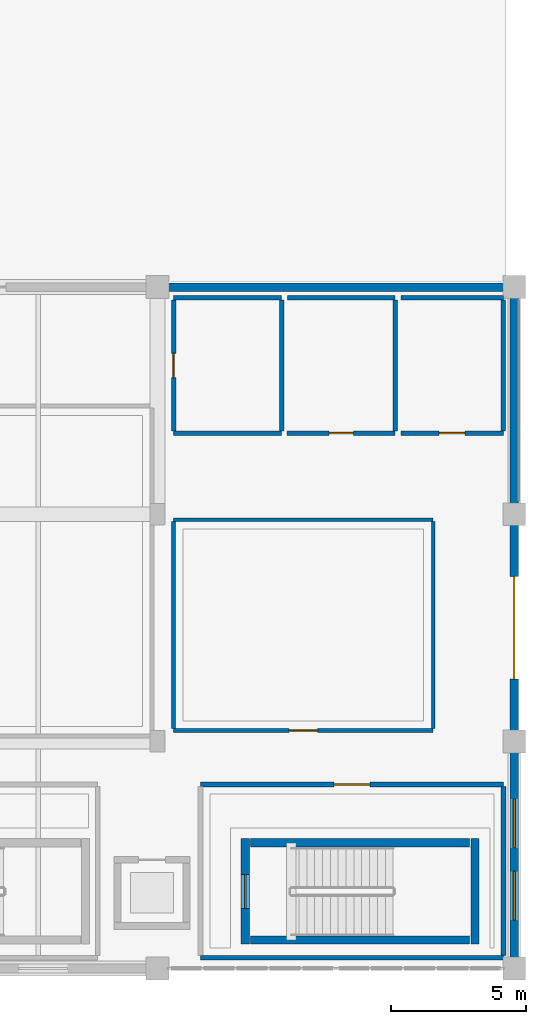
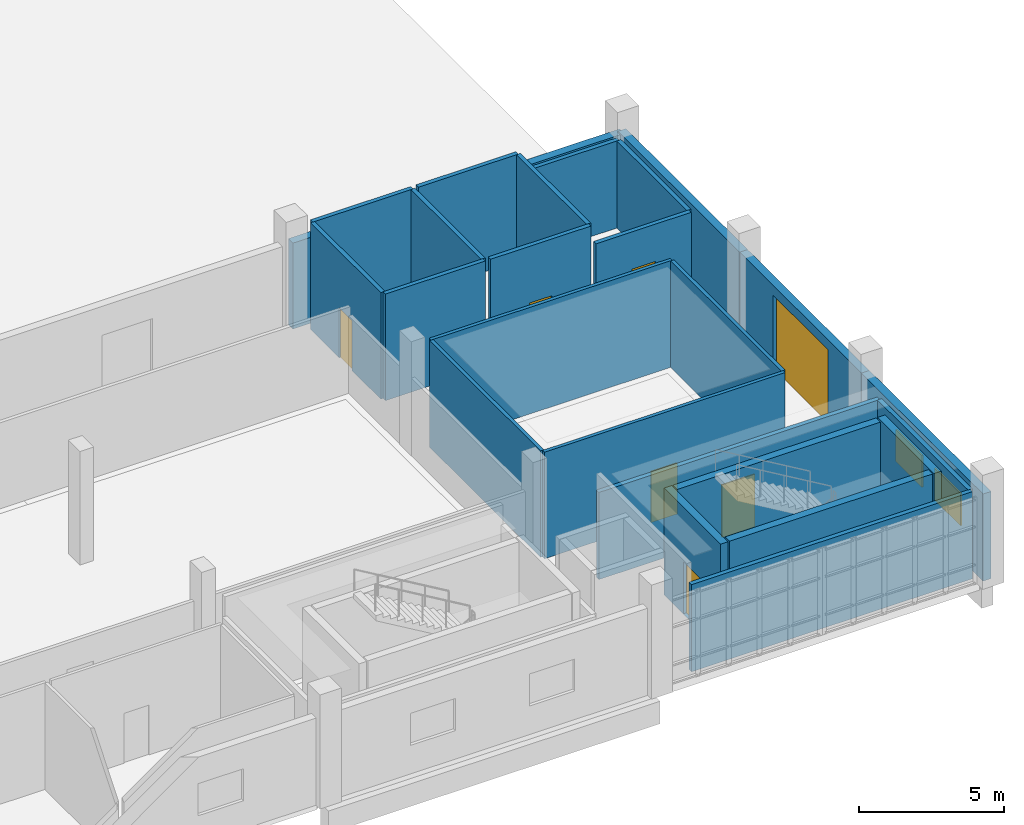
# One storey, part 71 of 97: 25 walls, 7 doors, 2 windows, 9 openings.
"""IFC4 building model written with IfcOpenShell, lengths in metres."""

import ifcopenshell
import ifcopenshell.guid

model = None  # the IFC model being written
_history = None  # IfcOwnerHistory: only IFC2X3 demands one
_inside = {}  # id of a spatial element -> (the spatial element, [elements in it])
_under = {}  # id of a project, library or spatial element -> (it, [spatial elements below it])
_declared = {}  # id of a project -> (the project, [libraries it declares])
_typed = {}  # id of a type object -> (the type object, [elements of that type])
_made_of = {}  # id of a material, layer set ... -> (it, [elements and type objects made of it])


def new_model(schema):
    """Start an empty IFC model of exactly this schema.

    Asked for "IFC4X3", IfcOpenShell would pick the latest addendum, in which some entities
    have other attributes; the version numbers below select the first issue.
    IFC2X3 requires an IfcOwnerHistory on every rooted entity: one is made here for all.
    """
    global model, _history
    if schema == "IFC4X3":
        model = ifcopenshell.file(schema_version=(4, 3, 0, 0))
    else:
        model = ifcopenshell.file(schema=schema)
    _inside.clear()
    _under.clear()
    _declared.clear()
    _typed.clear()
    _made_of.clear()
    _history = None
    if model.schema == "IFC2X3":
        org = make("IfcOrganization", Name="unknown")
        user = make(
            "IfcPersonAndOrganization",
            ThePerson=make("IfcPerson", FamilyName="unknown"),
            TheOrganization=org,
        )
        app = make(
            "IfcApplication",
            ApplicationDeveloper=org,
            Version="unknown",
            ApplicationFullName="unknown",
            ApplicationIdentifier="unknown",
        )
        _history = make(
            "IfcOwnerHistory",
            OwningUser=user,
            OwningApplication=app,
            ChangeAction="ADDED",
            CreationDate=0,
        )
    return model


def make(cls, **values):
    """One entity of the class cls with the attributes given. An attribute that is None is left unset."""
    return model.create_entity(
        cls, **{name: value for name, value in values.items() if value is not None}
    )


def rooted(cls, **values):
    """An entity with a GlobalId (a new one), such as an element, a storey or a relation."""
    return make(cls, GlobalId=ifcopenshell.guid.new(), OwnerHistory=_history, **values)


def si_unit(unit_type, name, prefix=None):
    """IfcSIUnit, for example si_unit("LENGTHUNIT", "METRE", prefix="MILLI")."""
    return make("IfcSIUnit", UnitType=unit_type, Prefix=prefix, Name=name)


def assignment(units):
    """IfcUnitAssignment: the units of a project."""
    return None if units is None else make("IfcUnitAssignment", Units=units)


def point(xyz):
    """IfcCartesianPoint."""
    return None if xyz is None else make("IfcCartesianPoint", Coordinates=xyz)


def direction(xyz):
    """IfcDirection."""
    return None if xyz is None else make("IfcDirection", DirectionRatios=xyz)


def frame(location, z_axis=None, x_axis=None):
    """IfcAxis2Placement3D, a coordinate frame: its origin and axes. An axis left out is left unset."""
    return make(
        "IfcAxis2Placement3D",
        Location=point(location),
        Axis=direction(z_axis),
        RefDirection=direction(x_axis),
    )


def frame_2d(location, x_axis=None):
    """IfcAxis2Placement2D, a coordinate frame in the plane: its origin and x axis."""
    return make(
        "IfcAxis2Placement2D", Location=point(location), RefDirection=direction(x_axis)
    )


def origin():
    """The frame at (0, 0, 0) with its axes left unset."""
    return frame((0.0, 0.0, 0.0))


def place(relative_to, where):
    """IfcLocalPlacement: puts the frame where relative to a parent placement (None: the world)."""
    return make(
        "IfcLocalPlacement", PlacementRelTo=relative_to, RelativePlacement=where
    )


def context(
    kind, dimensions, precision=None, world=None, true_north=None, identifier=None
):
    """IfcGeometricRepresentationContext, for example the 3D "Model" context."""
    return make(
        "IfcGeometricRepresentationContext",
        ContextIdentifier=identifier,
        ContextType=kind,
        CoordinateSpaceDimension=dimensions,
        Precision=precision,
        WorldCoordinateSystem=world,
        TrueNorth=true_north,
    )


def subcontext(parent, identifier, kind, view, scale=None):
    """IfcGeometricRepresentationSubContext, for example "Body" below "Model"."""
    return make(
        "IfcGeometricRepresentationSubContext",
        ContextIdentifier=identifier,
        ContextType=kind,
        ParentContext=parent,
        TargetScale=scale,
        TargetView=view,
    )


def project(units=None, contexts=None):
    """IfcProject with its units and contexts."""
    return rooted(
        "IfcProject",
        Name="project",
        RepresentationContexts=contexts,
        UnitsInContext=assignment(units),
    )


def spatial(cls, under=None, at=None, **own):
    """A site, building, storey or space (cls), placed at a placement, below another one or the project."""
    s = rooted(cls, ObjectPlacement=at, **own)
    if under is not None:
        _under.setdefault(under.id(), (under, []))[1].append(s)
    return s


def profile(cls, at=None, kind="AREA", **sizes):
    """A parametric profile (cls). Its sizes go by their IFC names, for example OverallWidth=200.0."""
    return make(cls, ProfileType=kind, Position=at, **sizes)


def rectangle(**sizes):
    """IfcRectangleProfileDef."""
    return profile("IfcRectangleProfileDef", **sizes)


def extrude(swept, where, along, depth):
    """IfcExtrudedAreaSolid: the profile swept, set in the frame where, extruded along a direction by depth."""
    return make(
        "IfcExtrudedAreaSolid",
        SweptArea=swept,
        Position=where,
        ExtrudedDirection=direction(along),
        Depth=depth,
    )


def shape(context_of_items, identifier, shape_type, items):
    """IfcShapeRepresentation: the items that make up one representation, for example the "Body"."""
    return make(
        "IfcShapeRepresentation",
        ContextOfItems=context_of_items,
        RepresentationIdentifier=identifier,
        RepresentationType=shape_type,
        Items=items,
    )


def material(Name=None, Category=None):
    """IfcMaterial."""
    return make("IfcMaterial", Name=Name, Category=Category)


def layer(
    of_material, thickness, ventilated=None, Name=None, Category=None, Priority=None
):
    """IfcMaterialLayer: one layer of a wall or slab, of a material (None: an air gap)."""
    return make(
        "IfcMaterialLayer",
        Material=of_material,
        LayerThickness=thickness,
        IsVentilated=ventilated,
        Name=Name,
        Category=Category,
        Priority=Priority,
    )


def layer_set(layers, Name=None):
    """IfcMaterialLayerSet."""
    return make("IfcMaterialLayerSet", MaterialLayers=layers, LayerSetName=Name)


def made_of(thing, what):
    """Note that an element or type object is made of a material, layer set ...; save() writes the relation."""
    if what is not None:
        _made_of.setdefault(what.id(), (what, []))[1].append(thing)
    return thing


def type_object(cls, material=None, **own):
    """A type object (cls), such as IfcWallType, which elements share."""
    return made_of(rooted(cls, **own), material)


def element(
    cls,
    number,
    at=None,
    inside=None,
    cuts=None,
    type_object=None,
    material=None,
    context=None,
    identifier="Body",
    shape_type=None,
    held_by="IfcProductDefinitionShape",
    body=None,
    shapes=None,
    **own,
):
    """One element of the class cls, such as IfcWall. Its Tag is "e" and its number.

    at: its placement. inside: the storey or other place that contains it. cuts: it is an
    opening in that element (IfcRelVoidsElement). A single representation is given by context,
    identifier, shape_type and body (its items); several are given by shapes. held_by: the class
    of the entity that holds the representations. save() writes the other relations.
    """
    e = rooted(cls, Tag="e%d" % number, ObjectPlacement=at, **own)
    if body is not None:
        shapes = [shape(context, identifier, shape_type, body)]
    if shapes is not None:
        e.Representation = make(held_by, Representations=shapes)
    if inside is not None:
        _inside.setdefault(inside.id(), (inside, []))[1].append(e)
    if cuts is not None:
        rooted(
            "IfcRelVoidsElement", RelatingBuildingElement=cuts, RelatedOpeningElement=e
        )
    if type_object is not None:
        _typed.setdefault(type_object.id(), (type_object, []))[1].append(e)
    return made_of(e, material)


def fill(opening, filler):
    """IfcRelFillsElement: the door or window that sits in an opening."""
    return rooted(
        "IfcRelFillsElement",
        RelatingOpeningElement=opening,
        RelatedBuildingElement=filler,
    )


def aggregate(whole, parts):
    """IfcRelAggregates: a whole, such as a stair, and the parts it consists of."""
    return rooted("IfcRelAggregates", RelatingObject=whole, RelatedObjects=parts)


def save(model, path):
    """Write the relations noted so far, then the file.

    IfcRelAggregates (storeys below a building ...), IfcRelContainedInSpatialStructure (elements
    in a storey), IfcRelDefinesByType, IfcRelAssociatesMaterial and IfcRelDeclares: one each for
    every whole, place, type object, material and project.
    """
    for whole, parts in _under.values():
        aggregate(whole, parts)
    for where, things in _inside.values():
        rooted(
            "IfcRelContainedInSpatialStructure",
            RelatedElements=things,
            RelatingStructure=where,
        )
    for kind, things in _typed.values():
        rooted("IfcRelDefinesByType", RelatedObjects=things, RelatingType=kind)
    for what, things in _made_of.values():
        rooted("IfcRelAssociatesMaterial", RelatedObjects=things, RelatingMaterial=what)
    for by, libraries in _declared.values():
        rooted("IfcRelDeclares", RelatingContext=by, RelatedDefinitions=libraries)
    model.write(path)


model = new_model("IFC4")

# Units and contexts
model_context = context("Model", 3, precision=1e-05, world=origin(), true_north=direction((0.0, 1.0)))
body_context = subcontext(model_context, "Body", "Model", "MODEL_VIEW")
ifc_project = project(units=[si_unit("LENGTHUNIT", "METRE"), si_unit("AREAUNIT", "SQUARE_METRE"), si_unit("VOLUMEUNIT", "CUBIC_METRE"), si_unit("PLANEANGLEUNIT", "RADIAN"), si_unit("MASSUNIT", "GRAM", prefix="KILO")], contexts=[model_context])

# Site, building, storey
site_placement = place(None, origin())
site = spatial("IfcSite", under=ifc_project, at=site_placement, CompositionType="ELEMENT")
building_placement = place(site_placement, origin())
building = spatial("IfcBuilding", under=site, at=building_placement, Name="Kisaragi Civic Commons", CompositionType="ELEMENT")
storey_placement = place(building_placement, origin())
storey = spatial("IfcBuildingStorey", under=building, at=storey_placement, Name="L00", CompositionType="ELEMENT", Elevation=0.0)

# Walls
ifc_material_1 = material(Name="Insulated Tokoname terracotta cavity wall", Category="masonry")
ifc_layer_1 = layer(ifc_material_1, 0.320068359375, Name="Insulated Tokoname terracotta cavity wall", Category="masonry")
ifc_layer_set_1 = layer_set([ifc_layer_1], Name="Insulated Tokoname terracotta cavity wall")
wall_type_1 = type_object("IfcWallType", Name="EW-01", PredefinedType="STANDARD", material=ifc_layer_set_1)
wall_1_placement = place(storey_placement, frame((159.60009765625, 25.199951171875, 0.0), z_axis=(0.0, 0.0, 1.0), x_axis=(1.0, 0.0, 0.0)))
element("IfcWall", 1, at=wall_1_placement, inside=storey, type_object=wall_type_1, Name="V3 L00 exterior terracotta wall EW-01 251", PredefinedType="STANDARD", context=body_context, shape_type="SweptSolid", body=[
    extrude(rectangle(XDim=13.199951171875, YDim=0.320068359375, at=frame_2d((6.60009765625, 0.0))), origin(), (0.0, 0.0, 1.0), 3.6201171875),
])
wall_2_placement = place(storey_placement, frame((172.800048828125, 25.199951171875, 0.0), z_axis=(0.0, 0.0, 1.0), x_axis=(0.0, -1.0, 0.0)))
element("IfcWall", 2, at=wall_2_placement, inside=storey, type_object=wall_type_1, Name="V3 L00 exterior terracotta wall EW-01 252", PredefinedType="STANDARD", context=body_context, shape_type="SweptSolid", body=[
    extrude(rectangle(XDim=8.39990234375, YDim=0.320068359375, at=frame_2d((4.199951171875, 0.0))), origin(), (0.0, 0.0, 1.0), 3.669921875),
])

# Wall, openings, windows
wall_3_placement = place(storey_placement, frame((172.800048828125, 8.39990234375, 0.0), z_axis=(0.0, 0.0, 1.0), x_axis=(0.0, -1.0, 0.0)))
wall_3 = element("IfcWall", 3, at=wall_3_placement, inside=storey, type_object=wall_type_1, Name="V3 L00 exterior terracotta wall EW-01 254", PredefinedType="STANDARD", context=body_context, shape_type="SweptSolid", body=[
    extrude(rectangle(XDim=8.39990234375, YDim=0.320068359375, at=frame_2d((4.199951171875, 0.0))), origin(), (0.0, 0.0, 1.0), 3.669921875),
])
opening_1_placement = place(wall_3_placement, frame((2.137939453125, 0.0, 1.199951171875)))
opening_1 = element("IfcOpeningElement", 4, at=opening_1_placement, cuts=wall_3, Name="Opening W-08", PredefinedType="OPENING", context=body_context, shape_type="SweptSolid", body=[
    extrude(rectangle(XDim=1.800048828125, YDim=1.35009765625, at=frame_2d((0.89990234375, 0.675048828125))), frame((0.0, 0.169921875, 0.0), z_axis=(0.0, -1.0, 0.0), x_axis=(1.0, 0.0, 0.0)), (0.0, 0.0, 1.0), 0.340087890625),
])
opening_2_placement = place(wall_3_placement, frame((4.81201171875, 0.0, 1.199951171875)))
opening_2 = element("IfcOpeningElement", 5, at=opening_2_placement, cuts=wall_3, Name="Opening W-08", PredefinedType="OPENING", context=body_context, shape_type="SweptSolid", body=[
    extrude(rectangle(XDim=1.800048828125, YDim=1.35009765625, at=frame_2d((0.89990234375, 0.675048828125))), frame((0.0, 0.169921875, 0.0), z_axis=(0.0, -1.0, 0.0), x_axis=(1.0, 0.0, 0.0)), (0.0, 0.0, 1.0), 0.340087890625),
])
ifc_material_2 = material(Name="Thermally broken aluminium frame and low-E argon double glazing", Category="aluminium")
window_type = type_object("IfcWindowType", Name="W-08", PartitioningType="SINGLE_PANEL", PredefinedType="WINDOW", material=ifc_material_2)
window_1_placement = place(opening_1_placement, origin())
window_1 = element("IfcWindow", 6, at=window_1_placement, inside=storey, type_object=window_type, Name="V3 L00 window W-08 74", OverallHeight=1.35009765625, OverallWidth=1.800048828125, PartitioningType="SINGLE_PANEL", PredefinedType="WINDOW", context=body_context, shape_type="SweptSolid", body=[
    extrude(rectangle(XDim=1.800048828125, YDim=1.35009765625, at=frame_2d((0.89990234375, 0.675048828125))), frame((0.0, 0.030029296875, 0.0), z_axis=(0.0, -1.0, 0.0), x_axis=(1.0, 0.0, 0.0)), (0.0, 0.0, 1.0), 0.06005859375),
])
fill(opening_1, window_1)
window_2_placement = place(opening_2_placement, origin())
window_2 = element("IfcWindow", 7, at=window_2_placement, inside=storey, type_object=window_type, Name="V3 L00 window W-08 75", OverallHeight=1.35009765625, OverallWidth=1.800048828125, PartitioningType="SINGLE_PANEL", PredefinedType="WINDOW", context=body_context, shape_type="SweptSolid", body=[
    extrude(rectangle(XDim=1.800048828125, YDim=1.35009765625, at=frame_2d((0.89990234375, 0.675048828125))), frame((0.0, 0.030029296875, 0.0), z_axis=(0.0, -1.0, 0.0), x_axis=(1.0, 0.0, 0.0)), (0.0, 0.0, 1.0), 0.06005859375),
])
fill(opening_2, window_2)

# Wall, opening, door
ifc_layer_2 = layer(ifc_material_1, 0.31005859375, Name="Insulated Tokoname terracotta cavity wall", Category="masonry")
ifc_layer_set_2 = layer_set([ifc_layer_2], Name="Insulated Tokoname terracotta cavity wall")
wall_type_2 = type_object("IfcWallType", Name="EW-05", PredefinedType="STANDARD", material=ifc_layer_set_2)
wall_4_placement = place(storey_placement, frame((172.800048828125, 16.800048828125, 0.0), z_axis=(0.0, 0.0, 1.0), x_axis=(0.0, -1.0, 0.0)))
wall_4 = element("IfcWall", 8, at=wall_4_placement, inside=storey, type_object=wall_type_2, Name="V3 L00 exterior terracotta wall EW-05 253", PredefinedType="STANDARD", context=body_context, shape_type="SweptSolid", body=[
    extrude(rectangle(XDim=8.400146484375, YDim=0.31005859375, at=frame_2d((4.2001953125, 0.0))), origin(), (0.0, 0.0, 1.0), 3.669921875),
])
opening_3_placement = place(wall_4_placement, frame((2.300048828125, 0.0, 0.0)))
opening_3 = element("IfcOpeningElement", 9, at=opening_3_placement, cuts=wall_4, Name="Opening VG-02", PredefinedType="OPENING", context=body_context, shape_type="SweptSolid", body=[
    extrude(rectangle(XDim=3.800048828125, YDim=3.25, at=frame_2d((1.89990234375, 1.625))), frame((0.0, 0.1650390625, 0.0), z_axis=(0.0, -1.0, 0.0), x_axis=(1.0, 0.0, 0.0)), (0.0, 0.0, 1.0), 0.330078125),
])
ifc_material_3 = material(Name="Galvanized steel insulated rolling shutter", Category="steel")
door_type_1 = type_object("IfcDoorType", Name="VG-02", OperationType="NOTDEFINED", PredefinedType="GATE", material=ifc_material_3)
door_1_placement = place(opening_3_placement, origin())
door_1 = element("IfcDoor", 10, at=door_1_placement, inside=storey, type_object=door_type_1, Name="Culinary loading bay roller shutter gate VG-02", OperationType="ROLLINGUP", OverallHeight=3.25, OverallWidth=3.800048828125, PredefinedType="GATE", context=body_context, shape_type="SweptSolid", body=[
    extrude(rectangle(XDim=3.800048828125, YDim=3.25, at=frame_2d((1.89990234375, 1.625))), frame((0.0, 0.02490234375, 0.0), z_axis=(0.0, -1.0, 0.0), x_axis=(1.0, 0.0, 0.0)), (0.0, 0.0, 1.0), 0.050048828125),
])
fill(opening_3, door_1)

# Walls
ifc_material_4 = material(Name="Fire-rated double gypsum board on steel studs with mineral wool", Category="steel")
ifc_layer_3 = layer(ifc_material_4, 0.177978515625, Name="Fire-rated double gypsum board on steel studs with mineral wool", Category="steel")
ifc_layer_set_3 = layer_set([ifc_layer_3], Name="Fire-rated double gypsum board on steel studs with mineral wool")
wall_type_3 = type_object("IfcWallType", Name="FW-02", PredefinedType="STANDARD", material=ifc_layer_set_3)
wall_5_placement = place(storey_placement, frame((172.39990234375, 6.72509765625, 0.0), z_axis=(0.0, 0.0, 1.0), x_axis=(0.0, -1.0, 0.0)))
element("IfcWall", 11, at=wall_5_placement, inside=storey, type_object=wall_type_3, Name="L00 D0-14 partition FW-02 40", PredefinedType="STANDARD", context=body_context, shape_type="SweptSolid", body=[
    extrude(rectangle(XDim=6.25, YDim=0.177978515625, at=frame_2d((3.125, 0.0))), origin(), (0.0, 0.0, 1.0), 3.669921875),
])
wall_6_placement = place(storey_placement, frame((172.39501953125, 0.39990234375, 0.0), z_axis=(0.0, 0.0, 1.0), x_axis=(-1.0, 0.0, 0.0)))
element("IfcWall", 12, at=wall_6_placement, inside=storey, type_object=wall_type_3, Name="L00 D0-14 partition FW-02 41", PredefinedType="STANDARD", context=body_context, shape_type="SweptSolid", body=[
    extrude(rectangle(XDim=11.18994140625, YDim=0.177978515625, at=frame_2d((5.594970703125, 0.0))), origin(), (0.0, 0.0, 1.0), 3.669921875),
])

# Wall, opening, door
wall_7_placement = place(storey_placement, frame((161.205078125, 6.800048828125, 0.0), z_axis=(0.0, 0.0, 1.0), x_axis=(1.0, 0.0, 0.0)))
wall_7 = element("IfcWall", 13, at=wall_7_placement, inside=storey, type_object=wall_type_3, Name="L00 D0-14 partition FW-02 43", PredefinedType="STANDARD", context=body_context, shape_type="SweptSolid", body=[
    extrude(rectangle(XDim=11.18994140625, YDim=0.177978515625, at=frame_2d((5.594970703125, 0.0))), origin(), (0.0, 0.0, 1.0), 3.669921875),
])
opening_4_placement = place(wall_7_placement, frame((4.93505859375, 0.0, 0.0)))
opening_4 = element("IfcOpeningElement", 14, at=opening_4_placement, cuts=wall_7, Name="Opening FD-04", PredefinedType="OPENING", context=body_context, shape_type="SweptSolid", body=[
    extrude(rectangle(XDim=1.320068359375, YDim=2.219970703125, at=frame_2d((0.66015625, 1.10986328125))), frame((0.0, 0.098876953125, 0.0), z_axis=(0.0, -1.0, 0.0), x_axis=(1.0, 0.0, 0.0)), (0.0, 0.0, 1.0), 0.197998046875),
])
ifc_material_5 = material(Name="Insulated fire-rated pressed steel door assembly", Category="steel")
door_type_2 = type_object("IfcDoorType", Name="FD-04", OperationType="NOTDEFINED", PredefinedType="DOOR", material=ifc_material_5)
door_2_placement = place(opening_4_placement, origin())
door_2 = element("IfcDoor", 15, at=door_2_placement, inside=storey, type_object=door_type_2, Name="Stair Exit Lobby South-East door FD-04", OperationType="DOUBLE_DOOR_SINGLE_SWING", OverallHeight=2.219970703125, OverallWidth=1.320068359375, PredefinedType="DOOR", context=body_context, shape_type="SweptSolid", body=[
    extrude(rectangle(XDim=1.320068359375, YDim=2.219970703125, at=frame_2d((0.66015625, 1.10986328125))), frame((0.0, 0.02490234375, 0.0), z_axis=(0.0, -1.0, 0.0), x_axis=(1.0, 0.0, 0.0)), (0.0, 0.0, 1.0), 0.050048828125),
])
fill(opening_4, door_2)

# Wall
ifc_material_6 = material(Name="Acoustic gypsum board on light-gauge steel studs", Category="steel")
ifc_layer_4 = layer(ifc_material_6, 0.137939453125, Name="Acoustic gypsum board on light-gauge steel studs", Category="steel")
ifc_layer_set_4 = layer_set([ifc_layer_4], Name="Acoustic gypsum board on light-gauge steel studs")
wall_type_4 = type_object("IfcWallType", Name="IW-02", PredefinedType="STANDARD", material=ifc_layer_set_4)
wall_8_placement = place(storey_placement, frame((169.800048828125, 16.52490234375, 0.0), z_axis=(0.0, 0.0, 1.0), x_axis=(0.0, -1.0, 0.0)))
element("IfcWall", 16, at=wall_8_placement, inside=storey, type_object=wall_type_4, Name="L00 D0-08 partition IW-02 129", PredefinedType="STANDARD", context=body_context, shape_type="SweptSolid", body=[
    extrude(rectangle(XDim=7.64990234375, YDim=0.137939453125, at=frame_2d((3.824951171875, 0.0))), origin(), (0.0, 0.0, 1.0), 4.489990234375),
])

# Wall, opening, door
wall_9_placement = place(storey_placement, frame((169.794921875, 8.800048828125, 0.0), z_axis=(0.0, 0.0, 1.0), x_axis=(-1.0, 0.0, 0.0)))
wall_9 = element("IfcWall", 17, at=wall_9_placement, inside=storey, type_object=wall_type_4, Name="L00 D0-08 partition IW-02 130", PredefinedType="STANDARD", context=body_context, shape_type="SweptSolid", body=[
    extrude(rectangle(XDim=9.58984375, YDim=0.137939453125, at=frame_2d((4.794921875, 0.0))), origin(), (0.0, 0.0, 1.0), 4.489990234375),
])
opening_5_placement = place(wall_9_placement, frame((4.27001953125, 0.0, 0.0)))
opening_5 = element("IfcOpeningElement", 18, at=opening_5_placement, cuts=wall_9, Name="Opening ID-03", PredefinedType="OPENING", context=body_context, shape_type="SweptSolid", body=[
    extrude(rectangle(XDim=1.050048828125, YDim=2.14990234375, at=frame_2d((0.52490234375, 1.074951171875))), frame((0.0, 0.078857421875, 0.0), z_axis=(0.0, -1.0, 0.0), x_axis=(1.0, 0.0, 0.0)), (0.0, 0.0, 1.0), 0.157958984375),
])
ifc_material_7 = material(Name="Solid-core Japanese ash acoustic flush timber leaf in steel frame", Category="steel")
door_type_3 = type_object("IfcDoorType", Name="ID-03", OperationType="NOTDEFINED", PredefinedType="DOOR", material=ifc_material_7)
door_3_placement = place(opening_5_placement, origin())
door_3 = element("IfcDoor", 19, at=door_3_placement, inside=storey, type_object=door_type_3, Name="Loading Bay Receiving Room door ID-03", OperationType="SINGLE_SWING_RIGHT", OverallHeight=2.14990234375, OverallWidth=1.050048828125, PredefinedType="DOOR", context=body_context, shape_type="SweptSolid", body=[
    extrude(rectangle(XDim=1.050048828125, YDim=2.14990234375, at=frame_2d((0.52490234375, 1.074951171875))), frame((0.0, 0.02490234375, 0.0), z_axis=(0.0, -1.0, 0.0), x_axis=(1.0, 0.0, 0.0)), (0.0, 0.0, 1.0), 0.050048828125),
])
fill(opening_5, door_3)

# Walls
wall_10_placement = place(storey_placement, frame((160.199951171875, 8.875, 0.0), z_axis=(0.0, 0.0, 1.0), x_axis=(0.0, 1.0, 0.0)))
element("IfcWall", 20, at=wall_10_placement, inside=storey, type_object=wall_type_4, Name="L00 D0-08 partition IW-02 131", PredefinedType="STANDARD", context=body_context, shape_type="SweptSolid", body=[
    extrude(rectangle(XDim=7.64990234375, YDim=0.137939453125, at=frame_2d((3.824951171875, 0.0))), origin(), (0.0, 0.0, 1.0), 4.489990234375),
])
wall_11_placement = place(storey_placement, frame((160.205078125, 16.60009765625, 0.0), z_axis=(0.0, 0.0, 1.0), x_axis=(1.0, 0.0, 0.0)))
element("IfcWall", 21, at=wall_11_placement, inside=storey, type_object=wall_type_4, Name="L00 D0-08 partition IW-02 132", PredefinedType="STANDARD", context=body_context, shape_type="SweptSolid", body=[
    extrude(rectangle(XDim=9.58984375, YDim=0.137939453125, at=frame_2d((4.794921875, 0.0))), origin(), (0.0, 0.0, 1.0), 4.489990234375),
])
ifc_material_8 = material(Name="Cementitious tile-backer board on galvanized steel studs", Category="steel")
ifc_layer_5 = layer(ifc_material_8, 0.16796875, Name="Cementitious tile-backer board on galvanized steel studs", Category="steel")
ifc_layer_set_5 = layer_set([ifc_layer_5], Name="Cementitious tile-backer board on galvanized steel studs")
wall_type_5 = type_object("IfcWallType", Name="IW-03", PredefinedType="STANDARD", material=ifc_layer_set_5)
wall_12_placement = place(storey_placement, frame((164.199951171875, 24.72509765625, 0.0), z_axis=(0.0, 0.0, 1.0), x_axis=(0.0, -1.0, 0.0)))
element("IfcWall", 22, at=wall_12_placement, inside=storey, type_object=wall_type_5, Name="L00 D0-09 partition IW-03 133", PredefinedType="STANDARD", context=body_context, shape_type="SweptSolid", body=[
    extrude(rectangle(XDim=4.85009765625, YDim=0.16796875, at=frame_2d((2.425048828125, 0.0))), origin(), (0.0, 0.0, 1.0), 4.489990234375),
])
wall_13_placement = place(storey_placement, frame((164.195068359375, 19.800048828125, 0.0), z_axis=(0.0, 0.0, 1.0), x_axis=(-1.0, 0.0, 0.0)))
element("IfcWall", 23, at=wall_13_placement, inside=storey, type_object=wall_type_5, Name="L00 D0-09 partition IW-03 134", PredefinedType="STANDARD", context=body_context, shape_type="SweptSolid", body=[
    extrude(rectangle(XDim=3.989990234375, YDim=0.16796875, at=frame_2d((1.9951171875, 0.0))), origin(), (0.0, 0.0, 1.0), 4.489990234375),
])

# Wall, opening, door
wall_14_placement = place(storey_placement, frame((160.199951171875, 19.875, 0.0), z_axis=(0.0, 0.0, 1.0), x_axis=(0.0, 1.0, 0.0)))
wall_14 = element("IfcWall", 24, at=wall_14_placement, inside=storey, type_object=wall_type_5, Name="L00 D0-09 partition IW-03 135", PredefinedType="STANDARD", context=body_context, shape_type="SweptSolid", body=[
    extrude(rectangle(XDim=4.85009765625, YDim=0.16796875, at=frame_2d((2.425048828125, 0.0))), origin(), (0.0, 0.0, 1.0), 4.489990234375),
])
opening_6_placement = place(wall_14_placement, frame((1.97509765625, 0.0, 0.0)))
opening_6 = element("IfcOpeningElement", 25, at=opening_6_placement, cuts=wall_14, Name="Opening ID-02", PredefinedType="OPENING", context=body_context, shape_type="SweptSolid", body=[
    extrude(rectangle(XDim=0.89990234375, YDim=2.10009765625, at=frame_2d((0.449951171875, 1.050048828125))), frame((0.0, 0.093994140625, 0.0), z_axis=(0.0, -1.0, 0.0), x_axis=(1.0, 0.0, 0.0)), (0.0, 0.0, 1.0), 0.18798828125),
])
door_type_4 = type_object("IfcDoorType", Name="ID-02", OperationType="NOTDEFINED", PredefinedType="DOOR", material=ifc_material_7)
door_4_placement = place(opening_6_placement, origin())
door_4 = element("IfcDoor", 26, at=door_4_placement, inside=storey, type_object=door_type_4, Name="Dining Male WC door ID-02", OperationType="SINGLE_SWING_LEFT", OverallHeight=2.10009765625, OverallWidth=0.89990234375, PredefinedType="DOOR", context=body_context, shape_type="SweptSolid", body=[
    extrude(rectangle(XDim=0.89990234375, YDim=2.10009765625, at=frame_2d((0.449951171875, 1.050048828125))), frame((0.0, 0.02490234375, 0.0), z_axis=(0.0, -1.0, 0.0), x_axis=(1.0, 0.0, 0.0)), (0.0, 0.0, 1.0), 0.050048828125),
])
fill(opening_6, door_4)

# Walls
wall_15_placement = place(storey_placement, frame((160.205078125, 24.800048828125, 0.0), z_axis=(0.0, 0.0, 1.0), x_axis=(1.0, 0.0, 0.0)))
element("IfcWall", 27, at=wall_15_placement, inside=storey, type_object=wall_type_5, Name="L00 D0-09 partition IW-03 136", PredefinedType="STANDARD", context=body_context, shape_type="SweptSolid", body=[
    extrude(rectangle(XDim=3.989990234375, YDim=0.16796875, at=frame_2d((1.9951171875, 0.0))), origin(), (0.0, 0.0, 1.0), 4.489990234375),
])
wall_16_placement = place(storey_placement, frame((168.39990234375, 24.72509765625, 0.0), z_axis=(0.0, 0.0, 1.0), x_axis=(0.0, -1.0, 0.0)))
element("IfcWall", 28, at=wall_16_placement, inside=storey, type_object=wall_type_5, Name="L00 D0-10 partition IW-03 137", PredefinedType="STANDARD", context=body_context, shape_type="SweptSolid", body=[
    extrude(rectangle(XDim=4.85009765625, YDim=0.16796875, at=frame_2d((2.425048828125, 0.0))), origin(), (0.0, 0.0, 1.0), 4.489990234375),
])

# Wall, opening, door
wall_17_placement = place(storey_placement, frame((168.39501953125, 19.800048828125, 0.0), z_axis=(0.0, 0.0, 1.0), x_axis=(-1.0, 0.0, 0.0)))
wall_17 = element("IfcWall", 29, at=wall_17_placement, inside=storey, type_object=wall_type_5, Name="L00 D0-10 partition IW-03 138", PredefinedType="STANDARD", context=body_context, shape_type="SweptSolid", body=[
    extrude(rectangle(XDim=3.989990234375, YDim=0.16796875, at=frame_2d((1.9951171875, 0.0))), origin(), (0.0, 0.0, 1.0), 4.489990234375),
])
opening_7_placement = place(wall_17_placement, frame((1.544921875, 0.0, 0.0)))
opening_7 = element("IfcOpeningElement", 30, at=opening_7_placement, cuts=wall_17, Name="Opening ID-02", PredefinedType="OPENING", context=body_context, shape_type="SweptSolid", body=[
    extrude(rectangle(XDim=0.89990234375, YDim=2.10009765625, at=frame_2d((0.449951171875, 1.050048828125))), frame((0.0, 0.093994140625, 0.0), z_axis=(0.0, -1.0, 0.0), x_axis=(1.0, 0.0, 0.0)), (0.0, 0.0, 1.0), 0.18798828125),
])
door_5_placement = place(opening_7_placement, origin())
door_5 = element("IfcDoor", 31, at=door_5_placement, inside=storey, type_object=door_type_4, Name="Dining Female WC door ID-02", OperationType="SINGLE_SWING_RIGHT", OverallHeight=2.10009765625, OverallWidth=0.89990234375, PredefinedType="DOOR", context=body_context, shape_type="SweptSolid", body=[
    extrude(rectangle(XDim=0.89990234375, YDim=2.10009765625, at=frame_2d((0.449951171875, 1.050048828125))), frame((0.0, 0.02490234375, 0.0), z_axis=(0.0, -1.0, 0.0), x_axis=(1.0, 0.0, 0.0)), (0.0, 0.0, 1.0), 0.050048828125),
])
fill(opening_7, door_5)

# Walls
wall_18_placement = place(storey_placement, frame((164.405029296875, 24.800048828125, 0.0), z_axis=(0.0, 0.0, 1.0), x_axis=(1.0, 0.0, 0.0)))
element("IfcWall", 32, at=wall_18_placement, inside=storey, type_object=wall_type_5, Name="L00 D0-10 partition IW-03 139", PredefinedType="STANDARD", context=body_context, shape_type="SweptSolid", body=[
    extrude(rectangle(XDim=3.989990234375, YDim=0.16796875, at=frame_2d((1.9951171875, 0.0))), origin(), (0.0, 0.0, 1.0), 4.489990234375),
])
wall_19_placement = place(storey_placement, frame((172.39990234375, 24.72509765625, 0.0), z_axis=(0.0, 0.0, 1.0), x_axis=(0.0, -1.0, 0.0)))
element("IfcWall", 33, at=wall_19_placement, inside=storey, type_object=wall_type_5, Name="L00 D0-11 partition IW-03 140", PredefinedType="STANDARD", context=body_context, shape_type="SweptSolid", body=[
    extrude(rectangle(XDim=4.85009765625, YDim=0.16796875, at=frame_2d((2.425048828125, 0.0))), origin(), (0.0, 0.0, 1.0), 3.669921875),
])

# Wall, opening, door
wall_20_placement = place(storey_placement, frame((172.39501953125, 19.800048828125, 0.0), z_axis=(0.0, 0.0, 1.0), x_axis=(-1.0, 0.0, 0.0)))
wall_20 = element("IfcWall", 34, at=wall_20_placement, inside=storey, type_object=wall_type_5, Name="L00 D0-11 partition IW-03 141", PredefinedType="STANDARD", context=body_context, shape_type="SweptSolid", body=[
    extrude(rectangle(XDim=3.7900390625, YDim=0.16796875, at=frame_2d((1.89501953125, 0.0))), origin(), (0.0, 0.0, 1.0), 3.669921875),
])
opening_8_placement = place(wall_20_placement, frame((1.419921875, 0.0, 0.0)))
opening_8 = element("IfcOpeningElement", 35, at=opening_8_placement, cuts=wall_20, Name="Opening ID-01", PredefinedType="OPENING", context=body_context, shape_type="SweptSolid", body=[
    extrude(rectangle(XDim=0.949951171875, YDim=2.10009765625, at=frame_2d((0.47509765625, 1.050048828125))), frame((0.0, 0.093994140625, 0.0), z_axis=(0.0, -1.0, 0.0), x_axis=(1.0, 0.0, 0.0)), (0.0, 0.0, 1.0), 0.18798828125),
])
door_type_5 = type_object("IfcDoorType", Name="ID-01", OperationType="NOTDEFINED", PredefinedType="DOOR", material=ifc_material_7)
door_6_placement = place(opening_8_placement, origin())
door_6 = element("IfcDoor", 36, at=door_6_placement, inside=storey, type_object=door_type_5, Name="Dining Accessible WC door ID-01", OperationType="SINGLE_SWING_LEFT", OverallHeight=2.10009765625, OverallWidth=0.949951171875, PredefinedType="DOOR", context=body_context, shape_type="SweptSolid", body=[
    extrude(rectangle(XDim=0.949951171875, YDim=2.10009765625, at=frame_2d((0.47509765625, 1.050048828125))), frame((0.0, 0.02490234375, 0.0), z_axis=(0.0, -1.0, 0.0), x_axis=(1.0, 0.0, 0.0)), (0.0, 0.0, 1.0), 0.050048828125),
])
fill(opening_8, door_6)

# Wall
wall_21_placement = place(storey_placement, frame((168.60498046875, 24.800048828125, 0.0), z_axis=(0.0, 0.0, 1.0), x_axis=(1.0, 0.0, 0.0)))
element("IfcWall", 37, at=wall_21_placement, inside=storey, type_object=wall_type_5, Name="L00 D0-11 partition IW-03 142", PredefinedType="STANDARD", context=body_context, shape_type="SweptSolid", body=[
    extrude(rectangle(XDim=3.7900390625, YDim=0.16796875, at=frame_2d((1.89501953125, 0.0))), origin(), (0.0, 0.0, 1.0), 3.669921875),
])

# Wall, opening, door
ifc_material_9 = material(Name="Concrete Fc36", Category="concrete")
ifc_layer_6 = layer(ifc_material_9, 0.300048828125, Name="Concrete Fc36", Category="concrete")
ifc_layer_set_6 = layer_set([ifc_layer_6], Name="Concrete Fc36")
wall_type_6 = type_object("IfcWallType", Name="SW-01", PredefinedType="SHEAR", material=ifc_layer_set_6)
wall_22_placement = place(storey_placement, frame((162.85009765625, 4.800048828125, 0.0), z_axis=(0.0, 0.0, 1.0), x_axis=(0.0, -1.0, 0.0)))
wall_22 = element("IfcWall", 38, at=wall_22_placement, inside=storey, type_object=wall_type_6, Name="ST-D2 L00 entry RC shear wall", PredefinedType="SHEAR", context=body_context, shape_type="SweptSolid", body=[
    extrude(rectangle(XDim=3.900146484375, YDim=0.300048828125, at=frame_2d((1.9501953125, 0.0))), origin(), (0.0, 0.0, 1.0), 4.4951171875),
])
opening_9_placement = place(wall_22_placement, frame((1.324951171875, 0.0, 0.0)))
opening_9 = element("IfcOpeningElement", 39, at=opening_9_placement, cuts=wall_22, Name="Opening SD-01", PredefinedType="OPENING", context=body_context, shape_type="SweptSolid", body=[
    extrude(rectangle(XDim=1.25, YDim=2.199951171875, at=frame_2d((0.625, 1.10009765625))), frame((0.0, 0.159912109375, 0.0), z_axis=(0.0, -1.0, 0.0), x_axis=(1.0, 0.0, 0.0)), (0.0, 0.0, 1.0), 0.320068359375),
])
door_type_6 = type_object("IfcDoorType", Name="SD-01", OperationType="NOTDEFINED", PredefinedType="DOOR", material=ifc_material_5)
door_7_placement = place(opening_9_placement, frame((1.25, 0.0, 0.0), z_axis=(0.0, 0.0, 1.0), x_axis=(-1.0, 0.0, 0.0)))
door_7 = element("IfcDoor", 40, at=door_7_placement, inside=storey, type_object=door_type_6, Name="ST-D2 L00 stair fire door 36", OperationType="SINGLE_SWING_RIGHT", OverallHeight=2.199951171875, OverallWidth=1.25, PredefinedType="DOOR", context=body_context, shape_type="SweptSolid", body=[
    extrude(rectangle(XDim=1.25, YDim=2.199951171875, at=frame_2d((0.625, 1.10009765625))), frame((0.0, 0.02490234375, 0.0), z_axis=(0.0, -1.0, 0.0), x_axis=(1.0, 0.0, 0.0)), (0.0, 0.0, 1.0), 0.050048828125),
])
fill(opening_9, door_7)

# Walls
wall_23_placement = place(storey_placement, frame((163.050048828125, 1.050048828125, 0.0), z_axis=(0.0, 0.0, 1.0), x_axis=(1.0, 0.0, 0.0)))
element("IfcWall", 41, at=wall_23_placement, inside=storey, type_object=wall_type_6, Name="ST-D2 L00 right RC shear wall", PredefinedType="SHEAR", context=body_context, shape_type="SweptSolid", body=[
    extrude(rectangle(XDim=8.099853515625, YDim=0.300048828125, at=frame_2d((4.0498046875, 0.0))), origin(), (0.0, 0.0, 1.0), 4.4951171875),
])
wall_24_placement = place(storey_placement, frame((171.35009765625, 0.89990234375, 0.0), z_axis=(0.0, 0.0, 1.0), x_axis=(0.0, 1.0, 0.0)))
element("IfcWall", 42, at=wall_24_placement, inside=storey, type_object=wall_type_6, Name="ST-D2 L00 far RC shear wall", PredefinedType="SHEAR", context=body_context, shape_type="SweptSolid", body=[
    extrude(rectangle(XDim=3.900146484375, YDim=0.300048828125, at=frame_2d((1.9501953125, 0.0))), origin(), (0.0, 0.0, 1.0), 4.4951171875),
])
wall_25_placement = place(storey_placement, frame((171.14990234375, 4.64990234375, 0.0), z_axis=(0.0, 0.0, 1.0), x_axis=(-1.0, 0.0, 0.0)))
element("IfcWall", 43, at=wall_25_placement, inside=storey, type_object=wall_type_6, Name="ST-D2 L00 left RC shear wall", PredefinedType="SHEAR", context=body_context, shape_type="SweptSolid", body=[
    extrude(rectangle(XDim=8.099853515625, YDim=0.300048828125, at=frame_2d((4.0498046875, 0.0))), origin(), (0.0, 0.0, 1.0), 4.4951171875),
])

save(model, "model.ifc")
